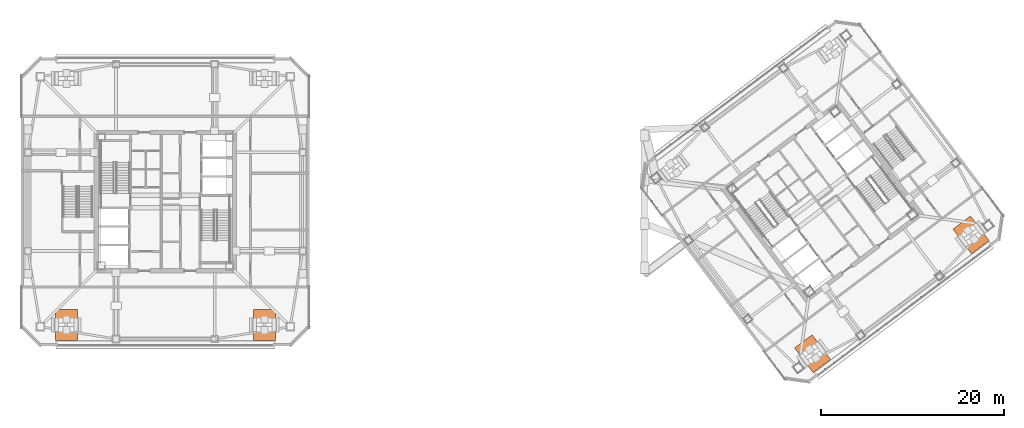
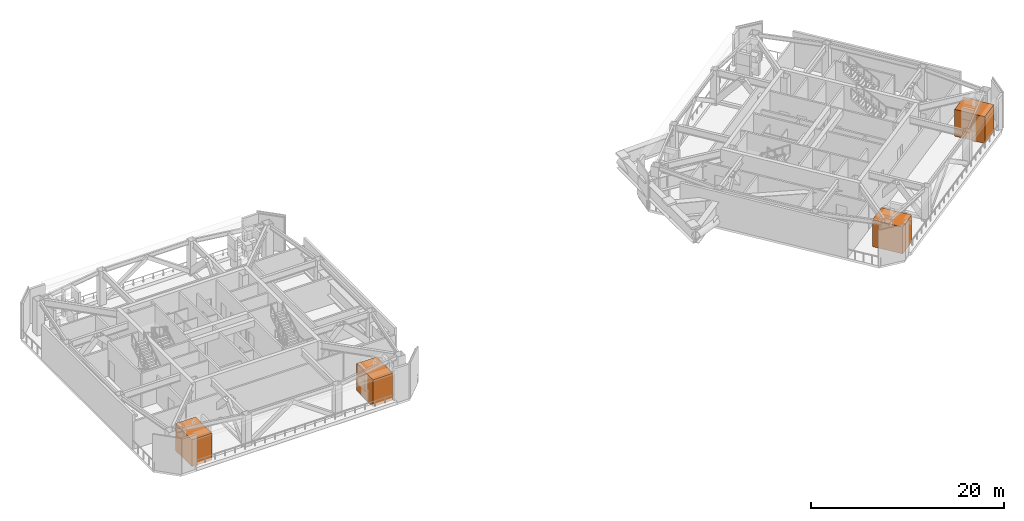
# One storey, part 15 of 15: 4 proxies.
"""IFC4 building model written with IfcOpenShell, lengths in metres."""

from ifc_helpers import new_model, si_unit, direction, frame, origin, origin_2d, place, context, subcontext, project, spatial, rectangle, extrude, material, type_object, element, save


model = new_model("IFC4")

# Units and contexts
model_context = context("Model", 3, precision=1e-05, world=origin(), true_north=direction((0.0, 1.0)))
body_context = subcontext(model_context, "Body", "Model", "MODEL_VIEW")
ifc_project = project(units=[si_unit("LENGTHUNIT", "METRE"), si_unit("AREAUNIT", "SQUARE_METRE"), si_unit("VOLUMEUNIT", "CUBIC_METRE"), si_unit("PLANEANGLEUNIT", "RADIAN"), si_unit("MASSUNIT", "GRAM", prefix="KILO")], contexts=[model_context])

# Site, building, storey
site_placement = place(None, origin())
site = spatial("IfcSite", under=ifc_project, at=site_placement, CompositionType="ELEMENT")
building_placement = place(site_placement, origin())
building = spatial("IfcBuilding", under=site, at=building_placement, Name="Tashvorn Skyway Center", CompositionType="ELEMENT")
storey_placement = place(building_placement, frame((0.0, 0.0, 246.800048828125)))
storey = spatial("IfcBuildingStorey", under=building, at=storey_placement, Name="L67", CompositionType="ELEMENT", Elevation=246.800048828125)

# Proxies
ifc_material = material(Name="Composite aerodynamic shroud and steel rotor", Category="steel")
building_element_proxy_type = type_object("IfcBuildingElementProxyType", Name="EQP-TURBINE", PredefinedType="USERDEFINED", material=ifc_material)
for number, where, z_axis, x_axis, name in (
    (1, (31.14990234375, 18.5, 0.0), (0.0, 0.0, 1.0), (1.0, 0.0, 0.0), "L67 Shrouded Venturi Wind Turbine Generator T1-1"),
    (2, (52.85009765625, 18.5, 0.0), (0.0, 0.0, 1.0), (1.0, 0.0, 0.0), "L67 Shrouded Venturi Wind Turbine Generator T1-2"),
    (3, (112.93994140625, 15.330078125, 0.0), (0.0, 0.0, 1.0), (0.799999996291, 0.600000004945, 0.0), "L67 Shrouded Venturi Wind Turbine Generator T2-1"),
    (4, (130.300048828125, 28.35009765625, 0.0), (0.0, 0.0, 1.0), (0.799999996291, 0.600000004945, 0.0), "L67 Shrouded Venturi Wind Turbine Generator T2-2"),
):
    element("IfcBuildingElementProxy", number, at=place(storey_placement, frame(where, z_axis=z_axis, x_axis=x_axis)), inside=storey, type_object=building_element_proxy_type, Name=name, ObjectType="WIND_TURBINE", PredefinedType="USERDEFINED", context=body_context, shape_type="SweptSolid", body=[
        extrude(rectangle(XDim=2.39990234375, YDim=3.39990234375, at=origin_2d()), origin(), (0.0, 0.0, 1.0), 3.39990234375),
    ])

save(model, "model.ifc")
